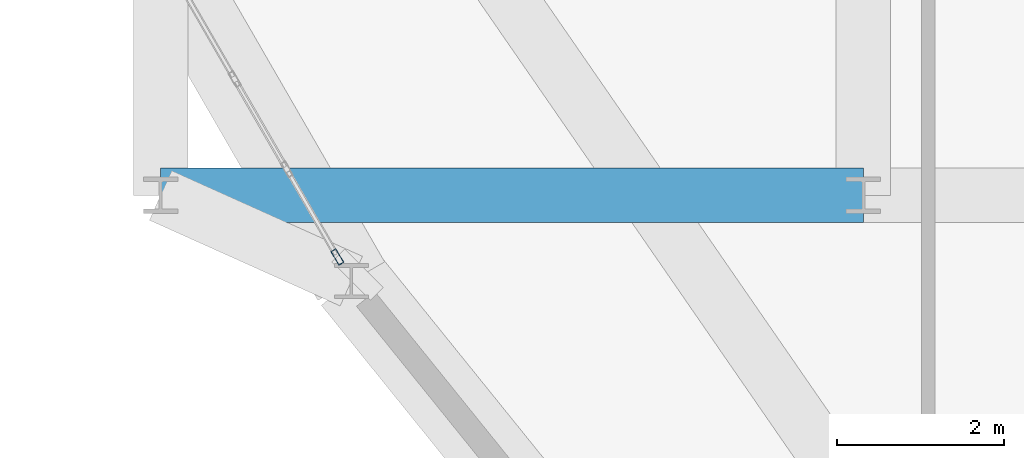
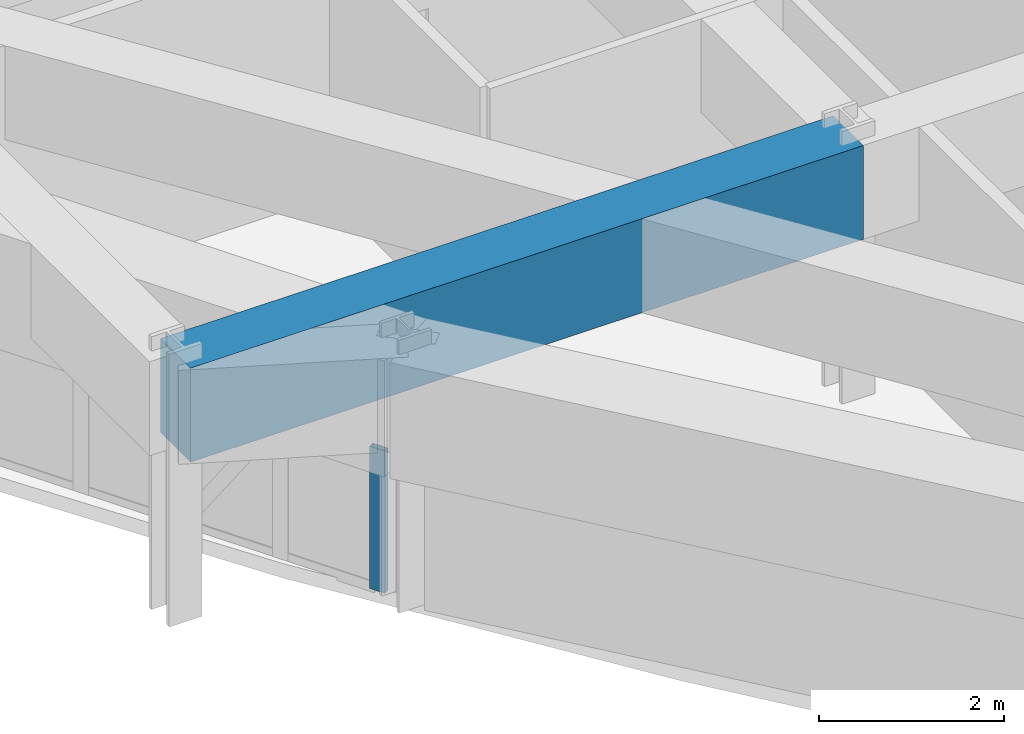
# One storey, part 2 of 19: 1 beam, 1 member, 1 element without a shape of its own.
"""IFC4 building model written with IfcOpenShell, lengths in metres."""

from ifc_helpers import new_model, si_unit, derived_unit, direction, frame, origin, origin_2d, place, context, subcontext, project, spatial, rectangle, hollow_rectangle, extrude, source, transform, mapped, material, layer, layer_set, material_profile, profile_set, type_object, element, aggregate, save


model = new_model("IFC4")

# Units and contexts
model_context = context("Model", 3, precision=1e-05, world=origin(), true_north=direction((0.0, 1.0)))
body_context = subcontext(model_context, "Body", "Model", "MODEL_VIEW")
ifc_project = project(units=[si_unit("LENGTHUNIT", "METRE"), si_unit("AREAUNIT", "SQUARE_METRE"), si_unit("VOLUMEUNIT", "CUBIC_METRE"), si_unit("PLANEANGLEUNIT", "RADIAN"), si_unit("MASSUNIT", "GRAM", prefix="KILO"), derived_unit("THERMALTRANSMITTANCEUNIT", [(si_unit("POWERUNIT", "WATT"), 1), (si_unit("LENGTHUNIT", "METRE"), -2), (si_unit("THERMODYNAMICTEMPERATUREUNIT", "KELVIN"), -1)])], contexts=[model_context])

# Site, building, storey
site_placement = place(None, origin())
site = spatial("IfcSite", under=ifc_project, at=site_placement, CompositionType="ELEMENT")
building_placement = place(site_placement, origin())
building = spatial("IfcBuilding", under=site, at=building_placement, Name="Korsvarv Bourse and Concert Hall", CompositionType="ELEMENT")
storey_placement = place(building_placement, frame((0.0, 0.0, 223.800048828125)))
storey = spatial("IfcBuildingStorey", under=building, at=storey_placement, Name="L58", CompositionType="ELEMENT", Elevation=223.800048828125)

# Beam
ifc_material_1 = material(Name="Concrete C50/60", Category="concrete")
ifc_material_profile_1 = material_profile(ifc_material_1, rectangle(XDim=0.64990234375, YDim=1.239990234375, at=origin_2d()), Name="RC-BM 650x1240")
ifc_profile_set_1 = profile_set([ifc_material_profile_1], Name="Concrete C50/60")
beam_type = type_object("IfcBeamType", Name="BM-TR-SPN", PredefinedType="BEAM", material=ifc_profile_set_1)
shared_shape_1 = source(origin(), body_context, "Body", "SweptSolid", [
    extrude(rectangle(XDim=0.64990234375, YDim=1.239990234375, at=origin_2d()), origin(), (0.0, 0.0, 1.0), 8.39990234375),
])
beam_placement = place(storey_placement, frame((27.60009765625, 24.0, 2.7900390625), z_axis=(1.0, 0.0, 0.0), x_axis=(0.0, 1.0, 0.0)))
element("IfcBeam", 1, at=beam_placement, inside=storey, type_object=beam_type, Name="L58 beam B-TRS", PredefinedType="BEAM", context=body_context, shape_type="MappedRepresentation", body=[
    mapped(shared_shape_1, transform((0.0, 0.0, 0.0), scale=1.0)),
])

# Curtain wall, member
ifc_material_2 = material(Name="Anodised aluminium and triple low-E glazing", Category="glass")
ifc_layer = layer(ifc_material_2, 0.199951171875)
ifc_layer_set = layer_set([ifc_layer], Name="Anodised aluminium and triple low-E glazing")
curtain_wall_type = type_object("IfcCurtainWallType", Name="CW-SYS-3", PredefinedType="NOTDEFINED", material=ifc_layer_set)
curtain_wall_placement = place(storey_placement, origin())
curtain_wall = element("IfcCurtainWall", 2, at=curtain_wall_placement, inside=storey, type_object=curtain_wall_type, Name="L58 CW3 curtain wall CW-L58-F07-2", PredefinedType="NOTDEFINED")
ifc_material_3 = material(Name="Extruded aluminium EN AW-6063 T66", Category="aluminium")
ifc_material_profile_2 = material_profile(ifc_material_3, hollow_rectangle(XDim=0.070068359375, YDim=0.18994140625, WallThickness=0.0048828125, at=origin_2d()), Name="ALU-M 70x190")
ifc_profile_set_2 = profile_set([ifc_material_profile_2], Name="Extruded aluminium EN AW-6063 T66")
member_type = type_object("IfcMemberType", Name="CWM-190", PredefinedType="MULLION", material=ifc_profile_set_2)
shared_shape_2 = source(origin(), body_context, "Body", "SweptSolid", [
    extrude(hollow_rectangle(XDim=0.070068359375, YDim=0.18994140625, WallThickness=0.0048828125, at=origin_2d()), origin(), (0.0, 0.0, 1.0), 1.8798828125),
])
member_placement = place(storey_placement, frame((29.712890625, 23.26416015625, 0.0), z_axis=(0.0, 0.0, 1.0), x_axis=(0.866027766968, 0.499995906824, 0.0)))
member = element("IfcMember", 3, at=member_placement, type_object=member_type, Name="CW3 mullion 9", PredefinedType="MULLION", context=body_context, shape_type="MappedRepresentation", body=[
    mapped(shared_shape_2, transform((0.0, 0.0, 0.0), scale=1.0)),
])
aggregate(curtain_wall, [member])

save(model, "model.ifc")
